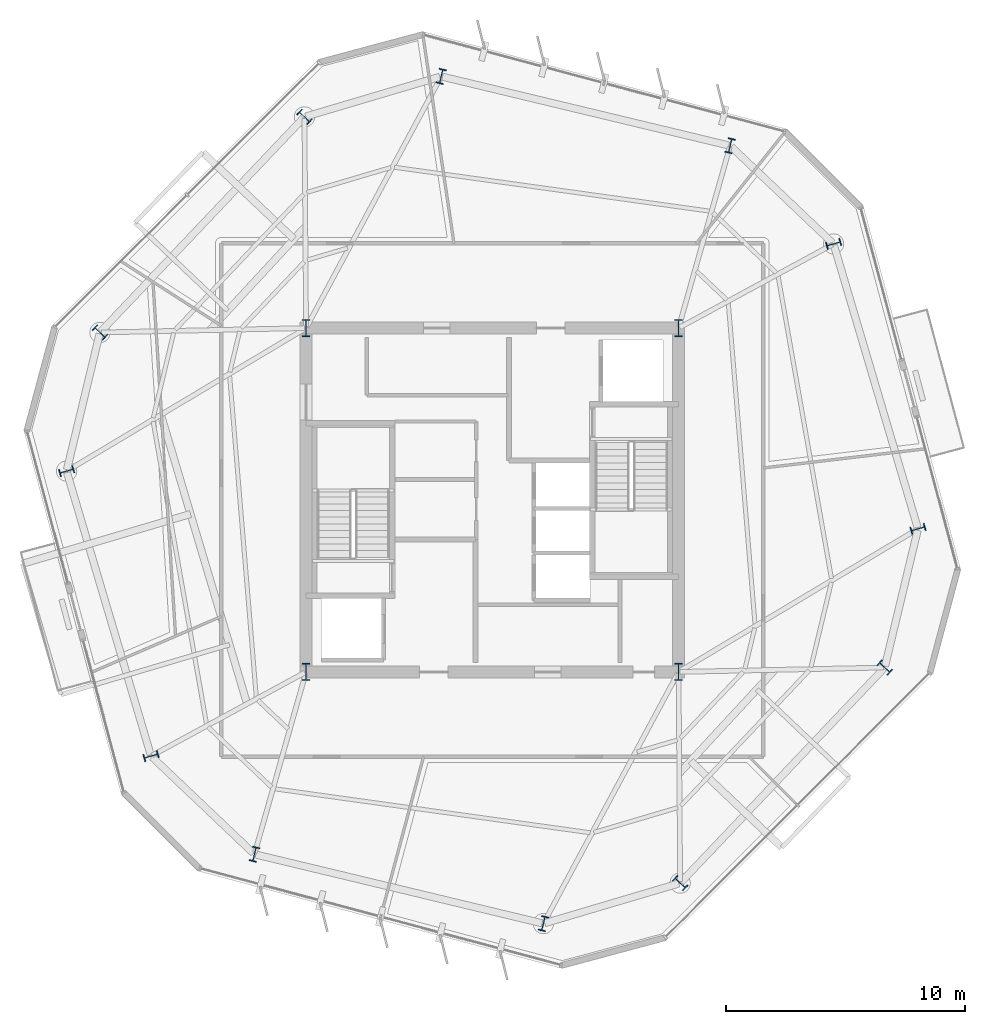
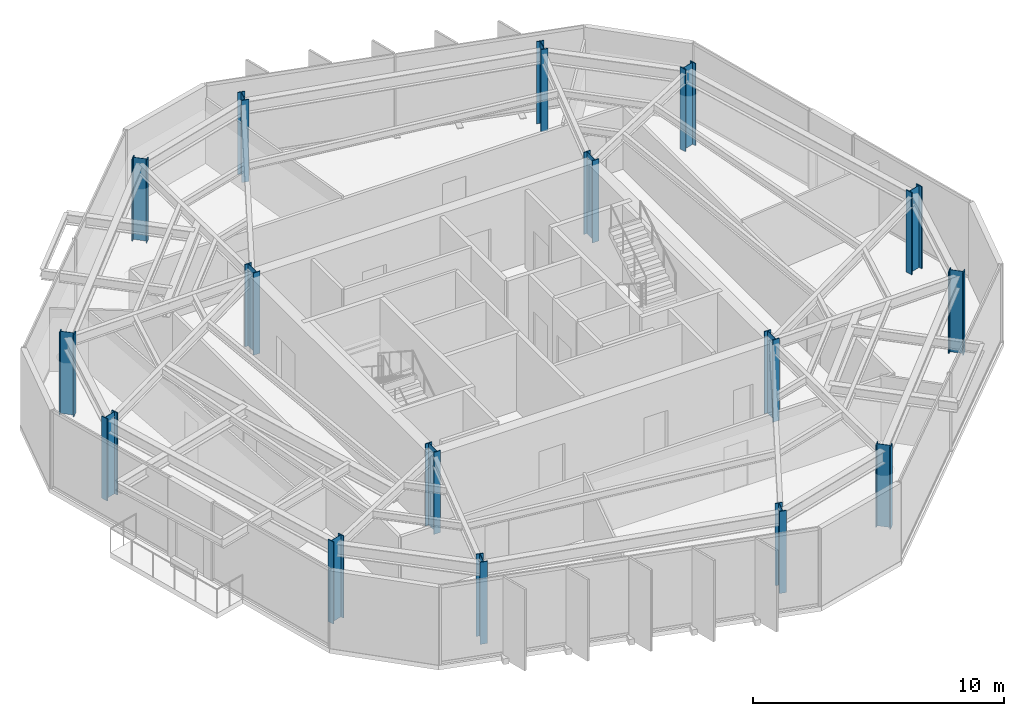
# One storey, part 1 of 12: 16 columns.
"""IFC4 building model written with IfcOpenShell, lengths in metres."""

from ifc_helpers import new_model, si_unit, direction, frame, origin, origin_2d, place, context, subcontext, project, spatial, i_section, extrude, material, material_profile, profile_set, type_object, element, save


model = new_model("IFC4")

# Units and contexts
model_context = context("Model", 3, precision=1e-05, world=origin(), true_north=direction((0.0, 1.0)))
body_context = subcontext(model_context, "Body", "Model", "MODEL_VIEW")
ifc_project = project(units=[si_unit("LENGTHUNIT", "METRE"), si_unit("AREAUNIT", "SQUARE_METRE"), si_unit("VOLUMEUNIT", "CUBIC_METRE"), si_unit("PLANEANGLEUNIT", "RADIAN"), si_unit("MASSUNIT", "GRAM", prefix="KILO")], contexts=[model_context])

# Site, building, storey
site_placement = place(None, origin())
site = spatial("IfcSite", under=ifc_project, at=site_placement, CompositionType="ELEMENT")
building_placement = place(site_placement, origin())
building = spatial("IfcBuilding", under=site, at=building_placement, Name="Kranzbogen Civic Tower", CompositionType="ELEMENT")
storey_placement = place(building_placement, frame((0.0, 0.0, 204.800048828125)))
storey = spatial("IfcBuildingStorey", under=building, at=storey_placement, Name="L49", CompositionType="ELEMENT", Elevation=204.800048828125)

# Columns
ifc_material_1 = material(Name="Steel S355", Category="steel")
ifc_material_profile_1 = material_profile(ifc_material_1, i_section(OverallWidth=0.304931640625, OverallDepth=0.6201171875, WebThickness=0.02099609375, FlangeThickness=0.0400390625, at=origin_2d()), Name="HEM 600")
ifc_profile_set_1 = profile_set([ifc_material_profile_1], Name="Steel S355")
column_type_1 = type_object("IfcColumnType", Name="Structural Column HEM 600", PredefinedType="COLUMN", material=ifc_profile_set_1)
for number, where, z_axis, x_axis, name in (
    (1, (34.9609375, 39.8349609375, 0.0), (0.0, 0.0, 1.0), (-0.972369920398, 0.233445363856, 0.0), "L49 tower perimeter tube column 01"),
    (2, (22.860107421875, 42.739990234375, 0.0), (0.0, 0.0, 1.0), (-0.972369920398, 0.233445363856, 0.0), "L49 tower perimeter tube column 02"),
    (3, (17.133056640625, 41.0439453125, 0.0), (0.0, 0.0, 1.0), (0.688354575694, 0.725374371012, 0.0), "L49 tower perimeter tube column 03"),
    (4, (8.56689453125, 32.01611328125, 0.0), (0.0, 0.0, 1.0), (0.688354575694, 0.725374371012, 0.0), "L49 tower perimeter tube column 04"),
    (5, (7.172119140625, 26.208984375, 0.0), (0.0, 0.0, 1.0), (-0.284015344704, 0.958819734868, 0.0), "L49 tower perimeter tube column 05"),
    (6, (10.70703125, 14.27587890625, 0.0), (0.0, 0.0, 1.0), (-0.284015344704, 0.958819734868, 0.0), "L49 tower perimeter tube column 06"),
    (7, (15.0390625, 10.1650390625, 0.0), (0.0, 0.0, 1.0), (-0.972369920398, 0.233445363856, 0.0), "L49 tower perimeter tube column 07"),
    (8, (27.139892578125, 7.260009765625, 0.0), (0.0, 0.0, 1.0), (-0.972369920398, 0.233445363856, 0.0), "L49 tower perimeter tube column 08"),
    (9, (32.866943359375, 8.9560546875, 0.0), (0.0, 0.0, 1.0), (0.688354575694, 0.725374371012, 0.0), "L49 tower perimeter tube column 09"),
    (10, (41.43310546875, 17.98388671875, 0.0), (0.0, 0.0, 1.0), (0.688354575694, 0.725374371012, 0.0), "L49 tower perimeter tube column 10"),
    (11, (42.827880859375, 23.791015625, 0.0), (0.0, 0.0, 1.0), (-0.284015344704, 0.958819734868, 0.0), "L49 tower perimeter tube column 11"),
    (12, (39.29296875, 35.72412109375, 0.0), (0.0, 0.0, 1.0), (-0.284015344704, 0.958819734868, 0.0), "L49 tower perimeter tube column 12"),
):
    element("IfcColumn", number, at=place(storey_placement, frame(where, z_axis=z_axis, x_axis=x_axis)), inside=storey, type_object=column_type_1, Name=name, PredefinedType="COLUMN", context=body_context, shape_type="SweptSolid", body=[
        extrude(i_section(OverallWidth=0.304931640625, OverallDepth=0.6201171875, WebThickness=0.02099609375, FlangeThickness=0.0400390625, at=origin_2d()), origin(), (0.0, 0.0, 1.0), 4.0),
    ])
ifc_material_2 = material(Name="Steel S460", Category="steel")
ifc_material_profile_2 = material_profile(ifc_material_2, i_section(OverallWidth=0.303955078125, OverallDepth=0.716064453125, WebThickness=0.02099609375, FlangeThickness=0.0400390625, at=origin_2d()), Name="HEM 700")
ifc_profile_set_2 = profile_set([ifc_material_profile_2], Name="Steel S460")
column_type_2 = type_object("IfcColumnType", Name="Structural Column HEM 700", PredefinedType="COLUMN", material=ifc_profile_set_2)
for number, where, z_axis, x_axis, name in (
    (13, (17.199951171875, 17.800048828125, 0.0), (0.0, 0.0, 1.0), (1.0, 0.0, 0.0), "L49 composite core corner column 1"),
    (14, (32.800048828125, 17.800048828125, 0.0), (0.0, 0.0, 1.0), (1.0, 0.0, 0.0), "L49 composite core corner column 2"),
    (15, (32.800048828125, 32.199951171875, 0.0), (0.0, 0.0, 1.0), (1.0, 0.0, 0.0), "L49 composite core corner column 3"),
    (16, (17.199951171875, 32.199951171875, 0.0), (0.0, 0.0, 1.0), (1.0, 0.0, 0.0), "L49 composite core corner column 4"),
):
    element("IfcColumn", number, at=place(storey_placement, frame(where, z_axis=z_axis, x_axis=x_axis)), inside=storey, type_object=column_type_2, Name=name, PredefinedType="COLUMN", context=body_context, shape_type="SweptSolid", body=[
        extrude(i_section(OverallWidth=0.303955078125, OverallDepth=0.716064453125, WebThickness=0.02099609375, FlangeThickness=0.0400390625, at=origin_2d()), origin(), (0.0, 0.0, 1.0), 4.0),
    ])

save(model, "model.ifc")
